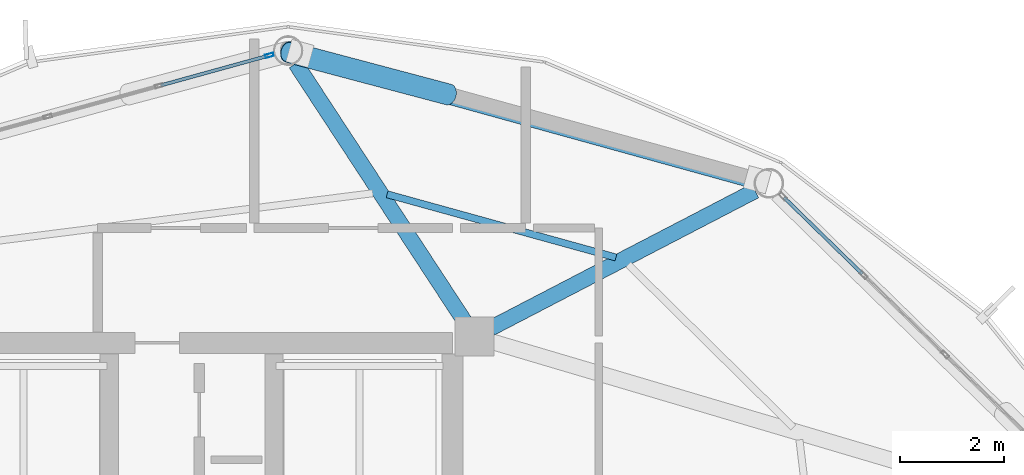
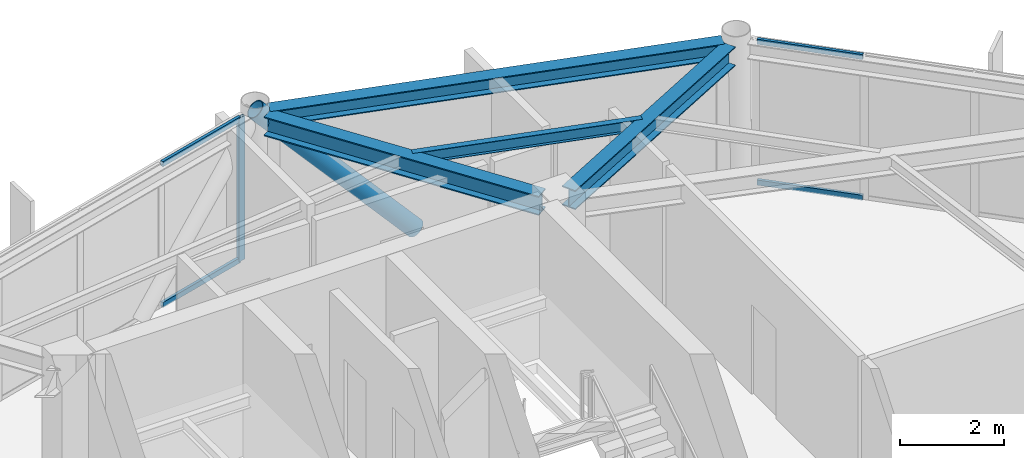
# One storey, part 19 of 27: 6 members, 4 beams, 2 elements without a shape of their own.
"""IFC4 building model written with IfcOpenShell, lengths in metres."""

from ifc_helpers import new_model, si_unit, direction, frame, origin, origin_2d, place, context, subcontext, project, spatial, hollow_rectangle, hollow_circle, i_section, extrude, material, layer, layer_set, material_profile, profile_set, type_object, element, aggregate, save


model = new_model("IFC4")

# Units and contexts
model_context = context("Model", 3, precision=1e-05, world=origin(), true_north=direction((0.0, 1.0)))
body_context = subcontext(model_context, "Body", "Model", "MODEL_VIEW")
ifc_project = project(units=[si_unit("LENGTHUNIT", "METRE"), si_unit("AREAUNIT", "SQUARE_METRE"), si_unit("VOLUMEUNIT", "CUBIC_METRE"), si_unit("PLANEANGLEUNIT", "RADIAN"), si_unit("MASSUNIT", "GRAM", prefix="KILO")], contexts=[model_context])

# Site, building, storey
site_placement = place(None, origin())
site = spatial("IfcSite", under=ifc_project, at=site_placement, CompositionType="ELEMENT")
building_placement = place(site_placement, origin())
building = spatial("IfcBuilding", under=site, at=building_placement, Name="Varnakorn Sky Granary", CompositionType="ELEMENT")
storey_placement = place(building_placement, frame((0.0, 0.0, 245.39990234375)))
storey = spatial("IfcBuildingStorey", under=building, at=storey_placement, Name="L62", CompositionType="ELEMENT", Elevation=245.39990234375)

# Beams
ifc_material_1 = material(Name="Steel S355JR", Category="steel")
ifc_material_profile_1 = material_profile(ifc_material_1, i_section(OverallWidth=0.300048828125, OverallDepth=0.449951171875, WebThickness=0.013916015625, FlangeThickness=0.02587890625, at=origin_2d()), Name="HE 450 B")
ifc_profile_set_1 = profile_set([ifc_material_profile_1], Name="Steel S355JR")
beam_type_1 = type_object("IfcBeamType", Name="BM-RAD-Z5", PredefinedType="BEAM", material=ifc_profile_set_1)
beam_1_placement = place(storey_placement, frame((8.735107421875, 12.78369140625, 3.135009765625), z_axis=(0.88737516605, 0.461048061137, 0.0), x_axis=(-0.461048061137, 0.88737516605, 0.0)))
element("IfcBeam", 1, at=beam_1_placement, inside=storey, type_object=beam_type_1, Name="Radial Floor Girder RG03 L62", PredefinedType="BEAM", context=body_context, shape_type="SweptSolid", body=[
    extrude(i_section(OverallWidth=0.300048828125, OverallDepth=0.449951171875, WebThickness=0.013916015625, FlangeThickness=0.02587890625, at=origin_2d()), origin(), (0.0, 0.0, 1.0), 5.70263671875),
])
beam_2_placement = place(storey_placement, frame((8.2255859375, 12.9169921875, 3.135009765625), z_axis=(-0.547736620173, 0.836650820188, 0.0), x_axis=(-0.836650820188, -0.547736620173, 0.0)))
element("IfcBeam", 2, at=beam_2_placement, inside=storey, type_object=beam_type_1, Name="Radial Floor Girder RG04 L62", PredefinedType="BEAM", context=body_context, shape_type="SweptSolid", body=[
    extrude(i_section(OverallWidth=0.300048828125, OverallDepth=0.449951171875, WebThickness=0.013916015625, FlangeThickness=0.02587890625, at=origin_2d()), origin(), (0.0, 0.0, 1.0), 5.898193359375),
])
ifc_material_profile_2 = material_profile(ifc_material_1, i_section(OverallWidth=0.135009765625, OverallDepth=0.27001953125, WebThickness=0.006591796875, FlangeThickness=0.01025390625, at=origin_2d()), Name="IPE 270")
ifc_profile_set_2 = profile_set([ifc_material_profile_2], Name="Steel S355JR")
beam_type_2 = type_object("IfcBeamType", Name="BM-SEC-Z5", PredefinedType="BEAM", material=ifc_profile_set_2)
beam_3_placement = place(storey_placement, frame((11.130126953125, 14.135498046875, 3.22509765625), z_axis=(-0.963879151915, 0.266339971658, 0.0), x_axis=(-0.266339971658, -0.963879151915, 0.0)))
element("IfcBeam", 3, at=beam_3_placement, inside=storey, type_object=beam_type_2, Name="Secondary Floor Chord Beam MSB03 L62", PredefinedType="BEAM", context=body_context, shape_type="SweptSolid", body=[
    extrude(i_section(OverallWidth=0.135009765625, OverallDepth=0.27001953125, WebThickness=0.006591796875, FlangeThickness=0.01025390625, at=origin_2d()), origin(), (0.0, 0.0, 1.0), 4.54931640625),
])
ifc_material_profile_3 = material_profile(ifc_material_1, i_section(OverallWidth=0.300048828125, OverallDepth=0.360107421875, WebThickness=0.012451171875, FlangeThickness=0.0224609375, at=origin_2d()), Name="HE 360 B")
ifc_profile_set_3 = profile_set([ifc_material_profile_3], Name="Steel S355JR")
beam_type_3 = type_object("IfcBeamType", Name="BM-SPD-Z5", PredefinedType="SPANDREL", material=ifc_profile_set_3)
beam_4_placement = place(storey_placement, frame((13.775146484375, 15.605224609375, 3.18017578125), z_axis=(-0.963837228855, 0.266491643909, 0.0), x_axis=(-0.266491643909, -0.963837228855, 0.0)))
element("IfcBeam", 4, at=beam_4_placement, inside=storey, type_object=beam_type_3, Name="Perimeter Spandrel Ring Beam RB03 L62", PredefinedType="SPANDREL", context=body_context, shape_type="SweptSolid", body=[
    extrude(i_section(OverallWidth=0.300048828125, OverallDepth=0.360107421875, WebThickness=0.012451171875, FlangeThickness=0.0224609375, at=origin_2d()), origin(), (0.0, 0.0, 1.0), 8.995361328125),
])

# Curtain wall, member
ifc_material_2 = material(Name="Anodised Bronze Aluminium Alloy 6063-T6", Category="aluminium")
ifc_layer = layer(ifc_material_2, 0.159912109375, Name="Anodised Bronze Aluminium Alloy 6063-T6")
ifc_layer_set = layer_set([ifc_layer], Name="Anodised Bronze Aluminium Alloy 6063-T6")
curtain_wall_type = type_object("IfcCurtainWallType", Name="CW-OFF-1", PredefinedType="USERDEFINED", material=ifc_layer_set)
curtain_wall_1_placement = place(storey_placement, origin())
curtain_wall_1 = element("IfcCurtainWall", 5, at=curtain_wall_1_placement, inside=storey, type_object=curtain_wall_type, Name="Unitised Curtain Wall CW6 CW-L62-B04", ObjectType="CURTAIN WALL", PredefinedType="USERDEFINED")
ifc_material_profile_4 = material_profile(ifc_material_2, hollow_rectangle(XDim=0.06494140625, YDim=0.159912109375, WallThickness=0.00341796875, at=origin_2d()), Name="ALU MULL 65x160")
ifc_profile_set_4 = profile_set([ifc_material_profile_4], Name="Anodised Bronze Aluminium Alloy 6063-T6")
member_type_1 = type_object("IfcMemberType", Name="CW-OFF-1-MULL", PredefinedType="MULLION", material=ifc_profile_set_4)
member_1_placement = place(storey_placement, frame((4.491455078125, 18.007080078125, 0.0), z_axis=(0.0, 0.0, 1.0), x_axis=(-0.266021744228, 0.963967028273, 0.0)))
member_1 = element("IfcMember", 6, at=member_1_placement, type_object=member_type_1, Name="CW6 mullion 5", PredefinedType="MULLION", context=body_context, shape_type="SweptSolid", body=[
    extrude(hollow_rectangle(XDim=0.06494140625, YDim=0.159912109375, WallThickness=0.00341796875, at=origin_2d()), origin(), (0.0, 0.0, 1.0), 3.360107421875),
])

# Curtain wall, members
curtain_wall_2_placement = place(storey_placement, origin())
curtain_wall_2 = element("IfcCurtainWall", 7, at=curtain_wall_2_placement, inside=storey, type_object=curtain_wall_type, Name="Unitised Curtain Wall CW6 CW-L62-B02", ObjectType="CURTAIN WALL", PredefinedType="USERDEFINED")
ifc_material_profile_5 = material_profile(ifc_material_2, hollow_rectangle(XDim=0.06494140625, YDim=0.1201171875, WallThickness=0.00341796875, at=origin_2d()), Name="ALU TRAN 65x120")
ifc_profile_set_5 = profile_set([ifc_material_profile_5], Name="Anodised Bronze Aluminium Alloy 6063-T6")
member_type_2 = type_object("IfcMemberType", Name="CW-OFF-1-TRAN", PredefinedType="USERDEFINED", material=ifc_profile_set_5)
member_2_placement = place(storey_placement, frame((14.353515625, 15.281005859375, 0.03271484375), z_axis=(0.715935858571, -0.698166059338, 0.0), x_axis=(0.698166059338, 0.715935858571, 0.0)))
member_2 = element("IfcMember", 8, at=member_2_placement, type_object=member_type_2, Name="CW6 transom 1.1", ObjectType="TRANSOM", PredefinedType="USERDEFINED", context=body_context, shape_type="SweptSolid", body=[
    extrude(hollow_rectangle(XDim=0.06494140625, YDim=0.1201171875, WallThickness=0.00341796875, at=origin_2d()), origin(), (0.0, 0.0, 1.0), 2.08837890625),
])
member_3_placement = place(storey_placement, frame((14.353515625, 15.281005859375, 3.32763671875), z_axis=(0.715935858571, -0.698166059338, 0.0), x_axis=(0.698166059338, 0.715935858571, 0.0)))
member_3 = element("IfcMember", 9, at=member_3_placement, type_object=member_type_2, Name="CW6 transom 1.2", ObjectType="TRANSOM", PredefinedType="USERDEFINED", context=body_context, shape_type="SweptSolid", body=[
    extrude(hollow_rectangle(XDim=0.06494140625, YDim=0.1201171875, WallThickness=0.00341796875, at=origin_2d()), origin(), (0.0, 0.0, 1.0), 2.08837890625),
])
aggregate(curtain_wall_2, [member_2, member_3])

# Member
member_4_placement = place(storey_placement, frame((2.4140625, 17.433837890625, 0.03271484375), z_axis=(0.963984482758, 0.265958487367, 0.0), x_axis=(-0.265958487367, 0.963984482758, 0.0)))
member_4 = element("IfcMember", 10, at=member_4_placement, type_object=member_type_2, Name="CW6 transom 4.1", ObjectType="TRANSOM", PredefinedType="USERDEFINED", context=body_context, shape_type="SweptSolid", body=[
    extrude(hollow_rectangle(XDim=0.06494140625, YDim=0.1201171875, WallThickness=0.00341796875, at=origin_2d()), origin(), (0.0, 0.0, 1.0), 2.122314453125),
])

member_5_placement = place(storey_placement, frame((2.4140625, 17.433837890625, 3.32763671875), z_axis=(0.963984482758, 0.265958487367, 0.0), x_axis=(-0.265958487367, 0.963984482758, 0.0)))
member_5 = element("IfcMember", 11, at=member_5_placement, type_object=member_type_2, Name="CW6 transom 4.2", ObjectType="TRANSOM", PredefinedType="USERDEFINED", context=body_context, shape_type="SweptSolid", body=[
    extrude(hollow_rectangle(XDim=0.06494140625, YDim=0.1201171875, WallThickness=0.00341796875, at=origin_2d()), origin(), (0.0, 0.0, 1.0), 2.122314453125),
])

aggregate(curtain_wall_1, [member_1, member_4, member_5])

ifc_material_3 = material(Name="Steel S460M", Category="steel")
ifc_material_profile_6 = material_profile(ifc_material_3, hollow_circle(Radius=0.203125, WallThickness=0.01611328125, at=origin_2d()), Name="CHS 406.4x16")
ifc_profile_set_6 = profile_set([ifc_material_profile_6], Name="Steel S460M")
member_type_3 = type_object("IfcMemberType", Name="MB-DIAG-T4", PredefinedType="BRACE", material=ifc_profile_set_6)
member_6_placement = place(storey_placement, frame((7.92138671875, 17.25830078125, 0.0), z_axis=(-0.66412079342, 0.176166223183, 0.726573488063), x_axis=(-0.256395145729, -0.966572050727, 0.0)))
element("IfcMember", 12, at=member_6_placement, inside=storey, type_object=member_type_3, Name="Perimeter CHS Diagrid Brace DG03 L62", PredefinedType="BRACE", context=body_context, shape_type="SweptSolid", body=[
    extrude(hollow_circle(Radius=0.203125, WallThickness=0.01611328125, at=origin_2d()), origin(), (0.0, 0.0, 1.0), 4.62451171875),
])

save(model, "model.ifc")
